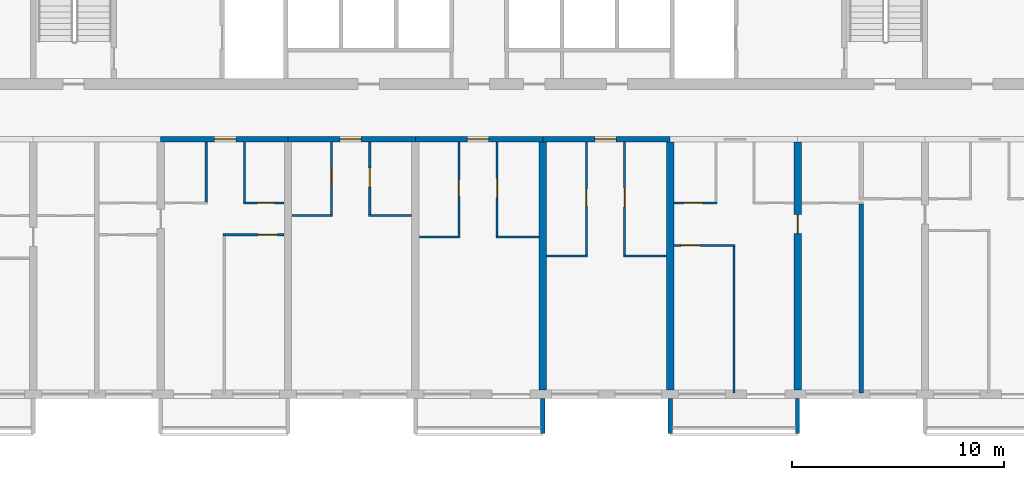
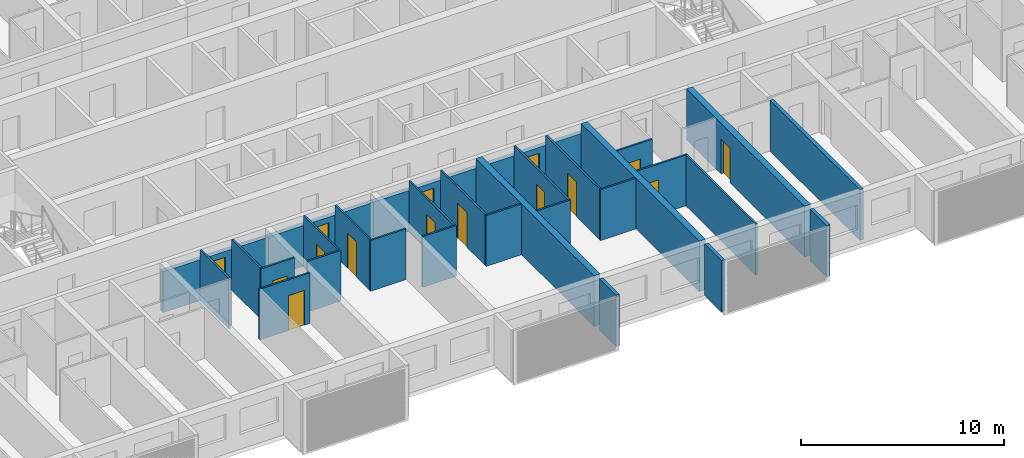
# One storey, part 5 of 29: 30 walls, 15 doors, 15 openings.
"""IFC4 building model written with IfcOpenShell, lengths in metres."""

from ifc_helpers import new_model, si_unit, direction, frame, frame_2d, origin, place, context, subcontext, project, spatial, polyline, rectangle, outline, extrude, source, transform, mapped, material, layer, layer_set, type_object, element, fill, save


model = new_model("IFC4")

# Units and contexts
model_context = context("Model", 3, precision=1e-05, world=origin(), true_north=direction((0.0, 1.0)))
body_context = subcontext(model_context, "Body", "Model", "MODEL_VIEW")
ifc_project = project(units=[si_unit("LENGTHUNIT", "METRE"), si_unit("AREAUNIT", "SQUARE_METRE"), si_unit("VOLUMEUNIT", "CUBIC_METRE"), si_unit("PLANEANGLEUNIT", "RADIAN"), si_unit("MASSUNIT", "GRAM", prefix="KILO")], contexts=[model_context])

# Site, building, storey
site_placement = place(None, origin())
site = spatial("IfcSite", under=ifc_project, at=site_placement, CompositionType="ELEMENT")
building_placement = place(site_placement, origin())
building = spatial("IfcBuilding", under=site, at=building_placement, Name="Poui Terraces", CompositionType="ELEMENT")
storey_placement = place(building_placement, frame((0.0, 0.0, 86.10009765625)))
storey = spatial("IfcBuildingStorey", under=building, at=storey_placement, Name="L23", CompositionType="ELEMENT", Elevation=86.10009765625)

# Wall, opening, door
ifc_material_1 = material(Name="Concrete 65 MPa", Category="concrete")
ifc_layer_1 = layer(ifc_material_1, 0.25)
ifc_layer_set_1 = layer_set([ifc_layer_1], Name="Concrete 65 MPa")
wall_type_1 = type_object("IfcWallType", Name="CORRIDOR WALL 250 65MPa", PredefinedType="SHEAR", material=ifc_layer_set_1)
wall_1_placement = place(storey_placement, frame((36.0, 12.0, 0.0), z_axis=(0.0, 0.0, 1.0), x_axis=(1.0, 0.0, 0.0)))
wall_1 = element("IfcWall", 1, at=wall_1_placement, inside=storey, type_object=wall_type_1, Name="CORRIDOR WALL LINE B BAY 6", PredefinedType="SHEAR", context=body_context, shape_type="SweptSolid", body=[
    extrude(rectangle(XDim=6.0, YDim=0.25, at=frame_2d((3.0, 0.0))), origin(), (0.0, 0.0, 1.0), 2.4599609375),
])
opening_1_placement = place(wall_1_placement, frame((2.550048828125, 0.0, 0.0)))
opening_1 = element("IfcOpeningElement", 2, at=opening_1_placement, cuts=wall_1, Name="Opening FD30S", PredefinedType="OPENING", context=body_context, shape_type="SweptSolid", body=[
    extrude(rectangle(XDim=1.0, YDim=2.10009765625, at=frame_2d((0.5, 1.050048828125))), frame((0.0, 0.135009765625, 0.0), z_axis=(0.0, -1.0, 0.0), x_axis=(1.0, 0.0, 0.0)), (0.0, 0.0, 1.0), 0.27001953125),
])
ifc_material_2 = material(Name="Steel fire door", Category="steel")
door_type_1 = type_object("IfcDoorType", Name="FLAT ENTRANCE DOOR 1000 X 2100", OperationType="NOTDEFINED", PredefinedType="DOOR", material=ifc_material_2)
door_1_placement = place(opening_1_placement, frame((1.0, 0.0, 0.0), z_axis=(0.0, 0.0, 1.0), x_axis=(-1.0, 0.0, 0.0)))
door_1 = element("IfcDoor", 3, at=door_1_placement, inside=storey, type_object=door_type_1, Name="FLAT ENTRANCE DOOR 103", OperationType="SINGLE_SWING_LEFT", OverallHeight=2.10009765625, OverallWidth=1.0, PredefinedType="DOOR", context=body_context, shape_type="SweptSolid", body=[
    extrude(rectangle(XDim=1.0, YDim=2.10009765625, at=frame_2d((0.5, 1.050048828125))), frame((0.0, 0.02490234375, 0.0), z_axis=(0.0, -1.0, 0.0), x_axis=(1.0, 0.0, 0.0)), (0.0, 0.0, 1.0), 0.050048828125),
])
fill(opening_1, door_1)

wall_2_placement = place(storey_placement, frame((42.0, 12.0, 0.0), z_axis=(0.0, 0.0, 1.0), x_axis=(1.0, 0.0, 0.0)))
wall_2 = element("IfcWall", 4, at=wall_2_placement, inside=storey, type_object=wall_type_1, Name="CORRIDOR WALL LINE B BAY 7", PredefinedType="SHEAR", context=body_context, shape_type="SweptSolid", body=[
    extrude(rectangle(XDim=6.0, YDim=0.25, at=frame_2d((3.0, 0.0))), origin(), (0.0, 0.0, 1.0), 2.4599609375),
])
opening_2_placement = place(wall_2_placement, frame((2.449951171875, 0.0, 0.0)))
opening_2 = element("IfcOpeningElement", 5, at=opening_2_placement, cuts=wall_2, Name="Opening FD30S", PredefinedType="OPENING", context=body_context, shape_type="SweptSolid", body=[
    extrude(rectangle(XDim=1.0, YDim=2.10009765625, at=frame_2d((0.5, 1.050048828125))), frame((0.0, 0.135009765625, 0.0), z_axis=(0.0, -1.0, 0.0), x_axis=(1.0, 0.0, 0.0)), (0.0, 0.0, 1.0), 0.27001953125),
])
door_2_placement = place(opening_2_placement, frame((1.0, 0.0, 0.0), z_axis=(0.0, 0.0, 1.0), x_axis=(-1.0, 0.0, 0.0)))
door_2 = element("IfcDoor", 6, at=door_2_placement, inside=storey, type_object=door_type_1, Name="FLAT ENTRANCE DOOR 107", OperationType="SINGLE_SWING_RIGHT", OverallHeight=2.10009765625, OverallWidth=1.0, PredefinedType="DOOR", context=body_context, shape_type="SweptSolid", body=[
    extrude(rectangle(XDim=1.0, YDim=2.10009765625, at=frame_2d((0.5, 1.050048828125))), frame((0.0, 0.02490234375, 0.0), z_axis=(0.0, -1.0, 0.0), x_axis=(1.0, 0.0, 0.0)), (0.0, 0.0, 1.0), 0.050048828125),
])
fill(opening_2, door_2)

wall_3_placement = place(storey_placement, frame((48.0, 12.0, 0.0), z_axis=(0.0, 0.0, 1.0), x_axis=(1.0, 0.0, 0.0)))
wall_3 = element("IfcWall", 7, at=wall_3_placement, inside=storey, type_object=wall_type_1, Name="CORRIDOR WALL LINE B BAY 8", PredefinedType="SHEAR", context=body_context, shape_type="SweptSolid", body=[
    extrude(rectangle(XDim=6.0, YDim=0.25, at=frame_2d((3.0, 0.0))), origin(), (0.0, 0.0, 1.0), 2.4599609375),
])
opening_3_placement = place(wall_3_placement, frame((2.449951171875, 0.0, 0.0)))
opening_3 = element("IfcOpeningElement", 8, at=opening_3_placement, cuts=wall_3, Name="Opening FD30S", PredefinedType="OPENING", context=body_context, shape_type="SweptSolid", body=[
    extrude(rectangle(XDim=1.0, YDim=2.10009765625, at=frame_2d((0.5, 1.050048828125))), frame((0.0, 0.135009765625, 0.0), z_axis=(0.0, -1.0, 0.0), x_axis=(1.0, 0.0, 0.0)), (0.0, 0.0, 1.0), 0.27001953125),
])
door_3_placement = place(opening_3_placement, frame((1.0, 0.0, 0.0), z_axis=(0.0, 0.0, 1.0), x_axis=(-1.0, 0.0, 0.0)))
door_3 = element("IfcDoor", 9, at=door_3_placement, inside=storey, type_object=door_type_1, Name="FLAT ENTRANCE DOOR 110", OperationType="SINGLE_SWING_RIGHT", OverallHeight=2.10009765625, OverallWidth=1.0, PredefinedType="DOOR", context=body_context, shape_type="SweptSolid", body=[
    extrude(rectangle(XDim=1.0, YDim=2.10009765625, at=frame_2d((0.5, 1.050048828125))), frame((0.0, 0.02490234375, 0.0), z_axis=(0.0, -1.0, 0.0), x_axis=(1.0, 0.0, 0.0)), (0.0, 0.0, 1.0), 0.050048828125),
])
fill(opening_3, door_3)

wall_4_placement = place(storey_placement, frame((54.0, 12.0, 0.0), z_axis=(0.0, 0.0, 1.0), x_axis=(1.0, 0.0, 0.0)))
wall_4 = element("IfcWall", 10, at=wall_4_placement, inside=storey, type_object=wall_type_1, Name="CORRIDOR WALL LINE B BAY 9", PredefinedType="SHEAR", context=body_context, shape_type="SweptSolid", body=[
    extrude(rectangle(XDim=6.0, YDim=0.25, at=frame_2d((3.0, 0.0))), origin(), (0.0, 0.0, 1.0), 2.4599609375),
])
opening_4_placement = place(wall_4_placement, frame((2.449951171875, 0.0, 0.0)))
opening_4 = element("IfcOpeningElement", 11, at=opening_4_placement, cuts=wall_4, Name="Opening FD30S", PredefinedType="OPENING", context=body_context, shape_type="SweptSolid", body=[
    extrude(rectangle(XDim=1.0, YDim=2.10009765625, at=frame_2d((0.5, 1.050048828125))), frame((0.0, 0.135009765625, 0.0), z_axis=(0.0, -1.0, 0.0), x_axis=(1.0, 0.0, 0.0)), (0.0, 0.0, 1.0), 0.27001953125),
])
door_4_placement = place(opening_4_placement, frame((1.0, 0.0, 0.0), z_axis=(0.0, 0.0, 1.0), x_axis=(-1.0, 0.0, 0.0)))
door_4 = element("IfcDoor", 12, at=door_4_placement, inside=storey, type_object=door_type_1, Name="FLAT ENTRANCE DOOR 113", OperationType="SINGLE_SWING_RIGHT", OverallHeight=2.10009765625, OverallWidth=1.0, PredefinedType="DOOR", context=body_context, shape_type="SweptSolid", body=[
    extrude(rectangle(XDim=1.0, YDim=2.10009765625, at=frame_2d((0.5, 1.050048828125))), frame((0.0, 0.02490234375, 0.0), z_axis=(0.0, -1.0, 0.0), x_axis=(1.0, 0.0, 0.0)), (0.0, 0.0, 1.0), 0.050048828125),
])
fill(opening_4, door_4)

# Walls
ifc_layer_2 = layer(ifc_material_1, 0.35009765625)
ifc_layer_set_2 = layer_set([ifc_layer_2], Name="Concrete 65 MPa")
wall_type_2 = type_object("IfcWallType", Name="CROSS WALL 350 65MPa", PredefinedType="SHEAR", material=ifc_layer_set_2)
for number, where, z_axis, x_axis, name in (
    (13, (54.0, 0.199951171875, 0.0), (0.0, 0.0, 1.0), (0.0, 1.0, 0.0), "CROSS WALL LINE 10 SOUTH"),
    (14, (60.0, 0.199951171875, 0.0), (0.0, 0.0, 1.0), (0.0, 1.0, 0.0), "CROSS WALL LINE 11 SOUTH"),
):
    element("IfcWall", number, at=place(storey_placement, frame(where, z_axis=z_axis, x_axis=x_axis)), inside=storey, type_object=wall_type_2, Name=name, PredefinedType="SHEAR", context=body_context, shape_type="SweptSolid", body=[
        extrude(rectangle(XDim=11.675048828125, YDim=0.35009765625, at=frame_2d((5.83740234375, 0.0))), origin(), (0.0, 0.0, 1.0), 3.059814453125),
    ])

# Wall, opening, door
wall_5_placement = place(storey_placement, frame((66.0, 0.199951171875, 0.0), z_axis=(0.0, 0.0, 1.0), x_axis=(0.0, 1.0, 0.0)))
wall_5 = element("IfcWall", 15, at=wall_5_placement, inside=storey, type_object=wall_type_2, Name="CROSS WALL LINE 12 SOUTH", PredefinedType="SHEAR", context=body_context, shape_type="SweptSolid", body=[
    extrude(rectangle(XDim=11.675048828125, YDim=0.35009765625, at=frame_2d((5.83740234375, 0.0))), origin(), (0.0, 0.0, 1.0), 3.059814453125),
])
opening_5_placement = place(wall_5_placement, frame((7.35009765625, 0.0, 0.0)))
opening_5 = element("IfcOpeningElement", 16, at=opening_5_placement, cuts=wall_5, Name="Opening D90", PredefinedType="OPENING", context=body_context, shape_type="SweptSolid", body=[
    extrude(rectangle(XDim=0.89990234375, YDim=2.10009765625, at=frame_2d((0.449951171875, 1.050048828125))), frame((0.0, 0.18505859375, 0.0), z_axis=(0.0, -1.0, 0.0), x_axis=(1.0, 0.0, 0.0)), (0.0, 0.0, 1.0), 0.3701171875),
])
ifc_material_3 = material(Name="Solid core timber door", Category="wood")
door_type_2 = type_object("IfcDoorType", Name="INTERNAL DOOR 900 X 2100", OperationType="NOTDEFINED", PredefinedType="DOOR", material=ifc_material_3)
door_5_placement = place(opening_5_placement, frame((0.89990234375, 0.0, 0.0), z_axis=(0.0, 0.0, 1.0), x_axis=(-1.0, 0.0, 0.0)))
door_5 = element("IfcDoor", 17, at=door_5_placement, inside=storey, type_object=door_type_2, Name="INTERNAL DOOR 120", OperationType="SINGLE_SWING_LEFT", OverallHeight=2.10009765625, OverallWidth=0.89990234375, PredefinedType="DOOR", context=body_context, shape_type="SweptSolid", body=[
    extrude(rectangle(XDim=0.89990234375, YDim=2.10009765625, at=frame_2d((0.449951171875, 1.050048828125))), frame((0.0, 0.02490234375, 0.0), z_axis=(0.0, -1.0, 0.0), x_axis=(1.0, 0.0, 0.0)), (0.0, 0.0, 1.0), 0.050048828125),
])
fill(opening_5, door_5)

# Walls
ifc_material_4 = material(Name="Plasterboard partition")
ifc_layer_3 = layer(ifc_material_4, 0.10009765625)
ifc_layer_set_3 = layer_set([ifc_layer_3], Name="Plasterboard partition")
wall_type_3 = type_object("IfcWallType", Name="FLAT PARTITION 100", PredefinedType="PARTITIONING", material=ifc_layer_set_3)
wall_6_placement = place(storey_placement, frame((54.18505859375, 6.5, 0.0), z_axis=(0.0, 0.0, 1.0), x_axis=(1.0, 0.0, 0.0)))
element("IfcWall", 18, at=wall_6_placement, inside=storey, type_object=wall_type_3, Name="FLAT PARTITION 100", PredefinedType="PARTITIONING", context=body_context, shape_type="SweptSolid", body=[
    extrude(rectangle(XDim=1.9150390625, YDim=0.10009765625, at=frame_2d((0.95751953125, 0.0))), origin(), (0.0, 0.0, 1.0), 3.059814453125),
])
wall_7_placement = place(storey_placement, frame((57.800048828125, 6.5, 0.0), z_axis=(0.0, 0.0, 1.0), x_axis=(1.0, 0.0, 0.0)))
element("IfcWall", 19, at=wall_7_placement, inside=storey, type_object=wall_type_3, Name="FLAT PARTITION 100", PredefinedType="PARTITIONING", context=body_context, shape_type="SweptSolid", body=[
    extrude(rectangle(XDim=2.014892578125, YDim=0.10009765625, at=frame_2d((1.00732421875, 0.0))), origin(), (0.0, 0.0, 1.0), 3.059814453125),
])

# Wall, opening, door
wall_8_placement = place(storey_placement, frame((60.18505859375, 7.0, 0.0), z_axis=(0.0, 0.0, 1.0), x_axis=(1.0, 0.0, 0.0)))
wall_8 = element("IfcWall", 20, at=wall_8_placement, inside=storey, type_object=wall_type_3, Name="FLAT PARTITION 100", PredefinedType="PARTITIONING", context=body_context, shape_type="SweptSolid", body=[
    extrude(rectangle(XDim=2.864990234375, YDim=0.10009765625, at=frame_2d((1.4326171875, 0.0))), origin(), (0.0, 0.0, 1.0), 3.059814453125),
])
opening_6_placement = place(wall_8_placement, frame((0.31494140625, 0.0, 0.0)))
opening_6 = element("IfcOpeningElement", 21, at=opening_6_placement, cuts=wall_8, Name="Opening D90", PredefinedType="OPENING", context=body_context, shape_type="SweptSolid", body=[
    extrude(rectangle(XDim=0.89990234375, YDim=2.10009765625, at=frame_2d((0.449951171875, 1.050048828125))), frame((0.0, 0.06005859375, 0.0), z_axis=(0.0, -1.0, 0.0), x_axis=(1.0, 0.0, 0.0)), (0.0, 0.0, 1.0), 0.1201171875),
])
door_6_placement = place(opening_6_placement, origin())
door_6 = element("IfcDoor", 22, at=door_6_placement, inside=storey, type_object=door_type_2, Name="INTERNAL DOOR 116", OperationType="SINGLE_SWING_RIGHT", OverallHeight=2.10009765625, OverallWidth=0.89990234375, PredefinedType="DOOR", context=body_context, shape_type="SweptSolid", body=[
    extrude(rectangle(XDim=0.89990234375, YDim=2.10009765625, at=frame_2d((0.449951171875, 1.050048828125))), frame((0.0, 0.02490234375, 0.0), z_axis=(0.0, -1.0, 0.0), x_axis=(1.0, 0.0, 0.0)), (0.0, 0.0, 1.0), 0.050048828125),
])
fill(opening_6, door_6)

# Walls
wall_9_placement = place(storey_placement, frame((48.18505859375, 7.39990234375, 0.0), z_axis=(0.0, 0.0, 1.0), x_axis=(1.0, 0.0, 0.0)))
element("IfcWall", 23, at=wall_9_placement, inside=storey, type_object=wall_type_3, Name="FLAT PARTITION 100", PredefinedType="PARTITIONING", context=body_context, shape_type="SweptSolid", body=[
    extrude(rectangle(XDim=1.9150390625, YDim=0.10009765625, at=frame_2d((0.95751953125, 0.0))), origin(), (0.0, 0.0, 1.0), 3.059814453125),
])
wall_10_placement = place(storey_placement, frame((51.800048828125, 7.39990234375, 0.0), z_axis=(0.0, 0.0, 1.0), x_axis=(1.0, 0.0, 0.0)))
element("IfcWall", 24, at=wall_10_placement, inside=storey, type_object=wall_type_3, Name="FLAT PARTITION 100", PredefinedType="PARTITIONING", context=body_context, shape_type="SweptSolid", body=[
    extrude(rectangle(XDim=2.014892578125, YDim=0.10009765625, at=frame_2d((1.00732421875, 0.0))), origin(), (0.0, 0.0, 1.0), 3.059814453125),
])

# Wall, opening, door
wall_11_placement = place(storey_placement, frame((38.949951171875, 7.5, 0.0), z_axis=(0.0, 0.0, 1.0), x_axis=(1.0, 0.0, 0.0)))
wall_11 = element("IfcWall", 25, at=wall_11_placement, inside=storey, type_object=wall_type_3, Name="FLAT PARTITION 100", PredefinedType="PARTITIONING", context=body_context, shape_type="SweptSolid", body=[
    extrude(rectangle(XDim=2.864990234375, YDim=0.10009765625, at=frame_2d((1.4326171875, 0.0))), origin(), (0.0, 0.0, 1.0), 3.059814453125),
])
opening_7_placement = place(wall_11_placement, frame((1.64990234375, 0.0, 0.0)))
opening_7 = element("IfcOpeningElement", 26, at=opening_7_placement, cuts=wall_11, Name="Opening D90", PredefinedType="OPENING", context=body_context, shape_type="SweptSolid", body=[
    extrude(rectangle(XDim=0.89990234375, YDim=2.10009765625, at=frame_2d((0.449951171875, 1.050048828125))), frame((0.0, 0.06005859375, 0.0), z_axis=(0.0, -1.0, 0.0), x_axis=(1.0, 0.0, 0.0)), (0.0, 0.0, 1.0), 0.1201171875),
])
door_7_placement = place(opening_7_placement, origin())
door_7 = element("IfcDoor", 27, at=door_7_placement, inside=storey, type_object=door_type_2, Name="INTERNAL DOOR 105", OperationType="SINGLE_SWING_LEFT", OverallHeight=2.10009765625, OverallWidth=0.89990234375, PredefinedType="DOOR", context=body_context, shape_type="SweptSolid", body=[
    extrude(rectangle(XDim=0.89990234375, YDim=2.10009765625, at=frame_2d((0.449951171875, 1.050048828125))), frame((0.0, 0.02490234375, 0.0), z_axis=(0.0, -1.0, 0.0), x_axis=(1.0, 0.0, 0.0)), (0.0, 0.0, 1.0), 0.050048828125),
])
fill(opening_7, door_7)

# Walls
wall_12_placement = place(storey_placement, frame((42.18505859375, 8.39990234375, 0.0), z_axis=(0.0, 0.0, 1.0), x_axis=(1.0, 0.0, 0.0)))
element("IfcWall", 28, at=wall_12_placement, inside=storey, type_object=wall_type_3, Name="FLAT PARTITION 100", PredefinedType="PARTITIONING", context=body_context, shape_type="SweptSolid", body=[
    extrude(rectangle(XDim=1.9150390625, YDim=0.10009765625, at=frame_2d((0.95751953125, 0.0))), origin(), (0.0, 0.0, 1.0), 3.059814453125),
])
wall_13_placement = place(storey_placement, frame((45.800048828125, 8.39990234375, 0.0), z_axis=(0.0, 0.0, 1.0), x_axis=(1.0, 0.0, 0.0)))
element("IfcWall", 29, at=wall_13_placement, inside=storey, type_object=wall_type_3, Name="FLAT PARTITION 100", PredefinedType="PARTITIONING", context=body_context, shape_type="SweptSolid", body=[
    extrude(rectangle(XDim=2.014892578125, YDim=0.10009765625, at=frame_2d((1.00732421875, 0.0))), origin(), (0.0, 0.0, 1.0), 3.059814453125),
])

# Wall, opening, door
wall_14_placement = place(storey_placement, frame((39.89990234375, 9.0, 0.0), z_axis=(0.0, 0.0, 1.0), x_axis=(1.0, 0.0, 0.0)))
wall_14 = element("IfcWall", 30, at=wall_14_placement, inside=storey, type_object=wall_type_3, Name="FLAT PARTITION 100", PredefinedType="PARTITIONING", context=body_context, shape_type="SweptSolid", body=[
    extrude(rectangle(XDim=1.9150390625, YDim=0.10009765625, at=frame_2d((0.95751953125, 0.0))), origin(), (0.0, 0.0, 1.0), 3.059814453125),
])
opening_8_placement = place(wall_14_placement, frame((0.675048828125, 0.0, 0.0)))
opening_8 = element("IfcOpeningElement", 31, at=opening_8_placement, cuts=wall_14, Name="Opening D80", PredefinedType="OPENING", context=body_context, shape_type="SweptSolid", body=[
    extrude(rectangle(XDim=0.800048828125, YDim=2.10009765625, at=frame_2d((0.39990234375, 1.050048828125))), frame((0.0, 0.06005859375, 0.0), z_axis=(0.0, -1.0, 0.0), x_axis=(1.0, 0.0, 0.0)), (0.0, 0.0, 1.0), 0.1201171875),
])
door_type_3 = type_object("IfcDoorType", Name="BATHROOM, LAUNDRY AND STORE DOOR 800 X 2100", OperationType="NOTDEFINED", PredefinedType="DOOR", material=ifc_material_3)
door_8_placement = place(opening_8_placement, origin())
door_8 = element("IfcDoor", 32, at=door_8_placement, inside=storey, type_object=door_type_3, Name="BATHROOM, LAUNDRY AND STORE DOOR 104", OperationType="SINGLE_SWING_RIGHT", OverallHeight=2.10009765625, OverallWidth=0.800048828125, PredefinedType="DOOR", context=body_context, shape_type="SweptSolid", body=[
    extrude(rectangle(XDim=0.800048828125, YDim=2.10009765625, at=frame_2d((0.39990234375, 1.050048828125))), frame((0.0, 0.02490234375, 0.0), z_axis=(0.0, -1.0, 0.0), x_axis=(1.0, 0.0, 0.0)), (0.0, 0.0, 1.0), 0.050048828125),
])
fill(opening_8, door_8)

wall_15_placement = place(storey_placement, frame((60.18505859375, 9.0, 0.0), z_axis=(0.0, 0.0, 1.0), x_axis=(1.0, 0.0, 0.0)))
wall_15 = element("IfcWall", 33, at=wall_15_placement, inside=storey, type_object=wall_type_3, Name="FLAT PARTITION 100", PredefinedType="PARTITIONING", context=body_context, shape_type="SweptSolid", body=[
    extrude(rectangle(XDim=2.014892578125, YDim=0.10009765625, at=frame_2d((1.00732421875, 0.0))), origin(), (0.0, 0.0, 1.0), 3.059814453125),
])
opening_9_placement = place(wall_15_placement, frame((0.43994140625, 0.0, 0.0)))
opening_9 = element("IfcOpeningElement", 34, at=opening_9_placement, cuts=wall_15, Name="Opening D90", PredefinedType="OPENING", context=body_context, shape_type="SweptSolid", body=[
    extrude(rectangle(XDim=0.89990234375, YDim=2.10009765625, at=frame_2d((0.449951171875, 1.050048828125))), frame((0.0, 0.06005859375, 0.0), z_axis=(0.0, -1.0, 0.0), x_axis=(1.0, 0.0, 0.0)), (0.0, 0.0, 1.0), 0.1201171875),
])
door_9_placement = place(opening_9_placement, origin())
door_9 = element("IfcDoor", 35, at=door_9_placement, inside=storey, type_object=door_type_2, Name="INTERNAL DOOR 117", OperationType="SINGLE_SWING_LEFT", OverallHeight=2.10009765625, OverallWidth=0.89990234375, PredefinedType="DOOR", context=body_context, shape_type="SweptSolid", body=[
    extrude(rectangle(XDim=0.89990234375, YDim=2.10009765625, at=frame_2d((0.449951171875, 1.050048828125))), frame((0.0, 0.02490234375, 0.0), z_axis=(0.0, -1.0, 0.0), x_axis=(1.0, 0.0, 0.0)), (0.0, 0.0, 1.0), 0.050048828125),
])
fill(opening_9, door_9)

# Walls
for number, where, z_axis, x_axis, name in (
    (36, (38.14990234375, 9.050048828125, 0.0), (0.0, 0.0, 1.0), (0.0, 1.0, 0.0), "FLAT PARTITION 100"),
    (37, (39.949951171875, 9.050048828125, 0.0), (0.0, 0.0, 1.0), (0.0, 1.0, 0.0), "FLAT PARTITION 100"),
):
    element("IfcWall", number, at=place(storey_placement, frame(where, z_axis=z_axis, x_axis=x_axis)), inside=storey, type_object=wall_type_3, Name=name, PredefinedType="PARTITIONING", context=body_context, shape_type="SweptSolid", body=[
        extrude(rectangle(XDim=2.81494140625, YDim=0.10009765625, at=frame_2d((1.407470703125, 0.0))), origin(), (0.0, 0.0, 1.0), 3.059814453125),
    ])

# Wall, opening, door
wall_16_placement = place(storey_placement, frame((44.050048828125, 8.449951171875, 0.0), z_axis=(0.0, 0.0, 1.0), x_axis=(0.0, 1.0, 0.0)))
wall_16 = element("IfcWall", 38, at=wall_16_placement, inside=storey, type_object=wall_type_3, Name="FLAT PARTITION 100", PredefinedType="PARTITIONING", context=body_context, shape_type="SweptSolid", body=[
    extrude(rectangle(XDim=3.4150390625, YDim=0.10009765625, at=frame_2d((1.70751953125, 0.0))), origin(), (0.0, 0.0, 1.0), 3.059814453125),
])
opening_10_placement = place(wall_16_placement, frame((1.35009765625, 0.0, 0.0)))
opening_10 = element("IfcOpeningElement", 39, at=opening_10_placement, cuts=wall_16, Name="Opening D80", PredefinedType="OPENING", context=body_context, shape_type="SweptSolid", body=[
    extrude(rectangle(XDim=0.800048828125, YDim=2.10009765625, at=frame_2d((0.39990234375, 1.050048828125))), frame((0.0, 0.06005859375, 0.0), z_axis=(0.0, -1.0, 0.0), x_axis=(1.0, 0.0, 0.0)), (0.0, 0.0, 1.0), 0.1201171875),
])
door_10_placement = place(opening_10_placement, origin())
door_10 = element("IfcDoor", 40, at=door_10_placement, inside=storey, type_object=door_type_3, Name="BATHROOM, LAUNDRY AND STORE DOOR 106", OperationType="SINGLE_SWING_LEFT", OverallHeight=2.10009765625, OverallWidth=0.800048828125, PredefinedType="DOOR", context=body_context, shape_type="SweptSolid", body=[
    extrude(rectangle(XDim=0.800048828125, YDim=2.10009765625, at=frame_2d((0.39990234375, 1.050048828125))), frame((0.0, 0.02490234375, 0.0), z_axis=(0.0, -1.0, 0.0), x_axis=(1.0, 0.0, 0.0)), (0.0, 0.0, 1.0), 0.050048828125),
])
fill(opening_10, door_10)

wall_17_placement = place(storey_placement, frame((45.85009765625, 8.449951171875, 0.0), z_axis=(0.0, 0.0, 1.0), x_axis=(0.0, 1.0, 0.0)))
wall_17 = element("IfcWall", 41, at=wall_17_placement, inside=storey, type_object=wall_type_3, Name="FLAT PARTITION 100", PredefinedType="PARTITIONING", context=body_context, shape_type="SweptSolid", body=[
    extrude(rectangle(XDim=3.4150390625, YDim=0.10009765625, at=frame_2d((1.70751953125, 0.0))), origin(), (0.0, 0.0, 1.0), 3.059814453125),
])
opening_11_placement = place(wall_17_placement, frame((1.300048828125, 0.0, 0.0)))
opening_11 = element("IfcOpeningElement", 42, at=opening_11_placement, cuts=wall_17, Name="Opening D90", PredefinedType="OPENING", context=body_context, shape_type="SweptSolid", body=[
    extrude(rectangle(XDim=0.89990234375, YDim=2.10009765625, at=frame_2d((0.449951171875, 1.050048828125))), frame((0.0, 0.06005859375, 0.0), z_axis=(0.0, -1.0, 0.0), x_axis=(1.0, 0.0, 0.0)), (0.0, 0.0, 1.0), 0.1201171875),
])
door_11_placement = place(opening_11_placement, frame((0.89990234375, 0.0, 0.0), z_axis=(0.0, 0.0, 1.0), x_axis=(-1.0, 0.0, 0.0)))
door_11 = element("IfcDoor", 43, at=door_11_placement, inside=storey, type_object=door_type_2, Name="INTERNAL DOOR 108", OperationType="SINGLE_SWING_LEFT", OverallHeight=2.10009765625, OverallWidth=0.89990234375, PredefinedType="DOOR", context=body_context, shape_type="SweptSolid", body=[
    extrude(rectangle(XDim=0.89990234375, YDim=2.10009765625, at=frame_2d((0.449951171875, 1.050048828125))), frame((0.0, 0.02490234375, 0.0), z_axis=(0.0, -1.0, 0.0), x_axis=(1.0, 0.0, 0.0)), (0.0, 0.0, 1.0), 0.050048828125),
])
fill(opening_11, door_11)

wall_18_placement = place(storey_placement, frame((50.050048828125, 7.449951171875, 0.0), z_axis=(0.0, 0.0, 1.0), x_axis=(0.0, 1.0, 0.0)))
wall_18 = element("IfcWall", 44, at=wall_18_placement, inside=storey, type_object=wall_type_3, Name="FLAT PARTITION 100", PredefinedType="PARTITIONING", context=body_context, shape_type="SweptSolid", body=[
    extrude(rectangle(XDim=4.4150390625, YDim=0.10009765625, at=frame_2d((2.20751953125, 0.0))), origin(), (0.0, 0.0, 1.0), 3.059814453125),
])
opening_12_placement = place(wall_18_placement, frame((1.85009765625, 0.0, 0.0)))
opening_12 = element("IfcOpeningElement", 45, at=opening_12_placement, cuts=wall_18, Name="Opening D80", PredefinedType="OPENING", context=body_context, shape_type="SweptSolid", body=[
    extrude(rectangle(XDim=0.800048828125, YDim=2.10009765625, at=frame_2d((0.39990234375, 1.050048828125))), frame((0.0, 0.06005859375, 0.0), z_axis=(0.0, -1.0, 0.0), x_axis=(1.0, 0.0, 0.0)), (0.0, 0.0, 1.0), 0.1201171875),
])
door_12_placement = place(opening_12_placement, origin())
door_12 = element("IfcDoor", 46, at=door_12_placement, inside=storey, type_object=door_type_3, Name="BATHROOM, LAUNDRY AND STORE DOOR 109", OperationType="SINGLE_SWING_RIGHT", OverallHeight=2.10009765625, OverallWidth=0.800048828125, PredefinedType="DOOR", context=body_context, shape_type="SweptSolid", body=[
    extrude(rectangle(XDim=0.800048828125, YDim=2.10009765625, at=frame_2d((0.39990234375, 1.050048828125))), frame((0.0, 0.02490234375, 0.0), z_axis=(0.0, -1.0, 0.0), x_axis=(1.0, 0.0, 0.0)), (0.0, 0.0, 1.0), 0.050048828125),
])
fill(opening_12, door_12)

wall_19_placement = place(storey_placement, frame((51.85009765625, 7.449951171875, 0.0), z_axis=(0.0, 0.0, 1.0), x_axis=(0.0, 1.0, 0.0)))
wall_19 = element("IfcWall", 47, at=wall_19_placement, inside=storey, type_object=wall_type_3, Name="FLAT PARTITION 100", PredefinedType="PARTITIONING", context=body_context, shape_type="SweptSolid", body=[
    extrude(rectangle(XDim=4.4150390625, YDim=0.10009765625, at=frame_2d((2.20751953125, 0.0))), origin(), (0.0, 0.0, 1.0), 3.059814453125),
])
opening_13_placement = place(wall_19_placement, frame((1.800048828125, 0.0, 0.0)))
opening_13 = element("IfcOpeningElement", 48, at=opening_13_placement, cuts=wall_19, Name="Opening D90", PredefinedType="OPENING", context=body_context, shape_type="SweptSolid", body=[
    extrude(rectangle(XDim=0.89990234375, YDim=2.10009765625, at=frame_2d((0.449951171875, 1.050048828125))), frame((0.0, 0.06005859375, 0.0), z_axis=(0.0, -1.0, 0.0), x_axis=(1.0, 0.0, 0.0)), (0.0, 0.0, 1.0), 0.1201171875),
])
door_13_placement = place(opening_13_placement, frame((0.89990234375, 0.0, 0.0), z_axis=(0.0, 0.0, 1.0), x_axis=(-1.0, 0.0, 0.0)))
door_13 = element("IfcDoor", 49, at=door_13_placement, inside=storey, type_object=door_type_2, Name="INTERNAL DOOR 111", OperationType="SINGLE_SWING_RIGHT", OverallHeight=2.10009765625, OverallWidth=0.89990234375, PredefinedType="DOOR", context=body_context, shape_type="SweptSolid", body=[
    extrude(rectangle(XDim=0.89990234375, YDim=2.10009765625, at=frame_2d((0.449951171875, 1.050048828125))), frame((0.0, 0.02490234375, 0.0), z_axis=(0.0, -1.0, 0.0), x_axis=(1.0, 0.0, 0.0)), (0.0, 0.0, 1.0), 0.050048828125),
])
fill(opening_13, door_13)

wall_20_placement = place(storey_placement, frame((56.050048828125, 6.550048828125, 0.0), z_axis=(0.0, 0.0, 1.0), x_axis=(0.0, 1.0, 0.0)))
wall_20 = element("IfcWall", 50, at=wall_20_placement, inside=storey, type_object=wall_type_3, Name="FLAT PARTITION 100", PredefinedType="PARTITIONING", context=body_context, shape_type="SweptSolid", body=[
    extrude(rectangle(XDim=5.31494140625, YDim=0.10009765625, at=frame_2d((2.657470703125, 0.0))), origin(), (0.0, 0.0, 1.0), 3.059814453125),
])
opening_14_placement = place(wall_20_placement, frame((2.300048828125, 0.0, 0.0)))
opening_14 = element("IfcOpeningElement", 51, at=opening_14_placement, cuts=wall_20, Name="Opening D80", PredefinedType="OPENING", context=body_context, shape_type="SweptSolid", body=[
    extrude(rectangle(XDim=0.800048828125, YDim=2.10009765625, at=frame_2d((0.39990234375, 1.050048828125))), frame((0.0, 0.06005859375, 0.0), z_axis=(0.0, -1.0, 0.0), x_axis=(1.0, 0.0, 0.0)), (0.0, 0.0, 1.0), 0.1201171875),
])
door_14_placement = place(opening_14_placement, origin())
door_14 = element("IfcDoor", 52, at=door_14_placement, inside=storey, type_object=door_type_3, Name="BATHROOM, LAUNDRY AND STORE DOOR 112", OperationType="SINGLE_SWING_LEFT", OverallHeight=2.10009765625, OverallWidth=0.800048828125, PredefinedType="DOOR", context=body_context, shape_type="SweptSolid", body=[
    extrude(rectangle(XDim=0.800048828125, YDim=2.10009765625, at=frame_2d((0.39990234375, 1.050048828125))), frame((0.0, 0.02490234375, 0.0), z_axis=(0.0, -1.0, 0.0), x_axis=(1.0, 0.0, 0.0)), (0.0, 0.0, 1.0), 0.050048828125),
])
fill(opening_14, door_14)

wall_21_placement = place(storey_placement, frame((57.85009765625, 6.550048828125, 0.0), z_axis=(0.0, 0.0, 1.0), x_axis=(0.0, 1.0, 0.0)))
wall_21 = element("IfcWall", 53, at=wall_21_placement, inside=storey, type_object=wall_type_3, Name="FLAT PARTITION 100", PredefinedType="PARTITIONING", context=body_context, shape_type="SweptSolid", body=[
    extrude(rectangle(XDim=5.31494140625, YDim=0.10009765625, at=frame_2d((2.657470703125, 0.0))), origin(), (0.0, 0.0, 1.0), 3.059814453125),
])
opening_15_placement = place(wall_21_placement, frame((2.25, 0.0, 0.0)))
opening_15 = element("IfcOpeningElement", 54, at=opening_15_placement, cuts=wall_21, Name="Opening D90", PredefinedType="OPENING", context=body_context, shape_type="SweptSolid", body=[
    extrude(rectangle(XDim=0.89990234375, YDim=2.10009765625, at=frame_2d((0.449951171875, 1.050048828125))), frame((0.0, 0.06005859375, 0.0), z_axis=(0.0, -1.0, 0.0), x_axis=(1.0, 0.0, 0.0)), (0.0, 0.0, 1.0), 0.1201171875),
])
door_15_placement = place(opening_15_placement, frame((0.89990234375, 0.0, 0.0), z_axis=(0.0, 0.0, 1.0), x_axis=(-1.0, 0.0, 0.0)))
door_15 = element("IfcDoor", 55, at=door_15_placement, inside=storey, type_object=door_type_2, Name="INTERNAL DOOR 114", OperationType="SINGLE_SWING_LEFT", OverallHeight=2.10009765625, OverallWidth=0.89990234375, PredefinedType="DOOR", context=body_context, shape_type="SweptSolid", body=[
    extrude(rectangle(XDim=0.89990234375, YDim=2.10009765625, at=frame_2d((0.449951171875, 1.050048828125))), frame((0.0, 0.02490234375, 0.0), z_axis=(0.0, -1.0, 0.0), x_axis=(1.0, 0.0, 0.0)), (0.0, 0.0, 1.0), 0.050048828125),
])
fill(opening_15, door_15)

# Walls
wall_22_placement = place(storey_placement, frame((63.0, 0.06005859375, 0.0), z_axis=(0.0, 0.0, 1.0), x_axis=(0.0, 1.0, 0.0)))
element("IfcWall", 56, at=wall_22_placement, inside=storey, type_object=wall_type_3, Name="FLAT PARTITION 100", PredefinedType="PARTITIONING", context=body_context, shape_type="SweptSolid", body=[
    extrude(rectangle(XDim=6.889892578125, YDim=0.10009765625, at=frame_2d((3.44482421875, 0.0))), origin(), (0.0, 0.0, 1.0), 3.059814453125),
])
ifc_material_5 = material(Name="Fire-rated masonry wall", Category="masonry")
ifc_layer_4 = layer(ifc_material_5, 0.199951171875)
ifc_layer_set_4 = layer_set([ifc_layer_4], Name="Fire-rated masonry wall")
wall_type_4 = type_object("IfcWallType", Name="FLAT PARTY WALL 200", PredefinedType="PARTITIONING", material=ifc_layer_set_4)
wall_23_placement = place(storey_placement, frame((69.0, 0.06005859375, 0.0), z_axis=(0.0, 0.0, 1.0), x_axis=(0.0, 1.0, 0.0)))
element("IfcWall", 57, at=wall_23_placement, inside=storey, type_object=wall_type_4, Name="FLAT PARTY WALL 200", PredefinedType="PARTITIONING", context=body_context, shape_type="SweptSolid", body=[
    extrude(rectangle(XDim=8.889892578125, YDim=0.199951171875, at=frame_2d((4.44482421875, 0.0))), origin(), (0.0, 0.0, 1.0), 3.059814453125),
])
ifc_material_6 = material(Name="Precast concrete 40 MPa", Category="concrete")
ifc_layer_5 = layer(ifc_material_6, 0.199951171875)
ifc_layer_set_5 = layer_set([ifc_layer_5], Name="Precast concrete 40 MPa")
wall_type_5 = type_object("IfcWallType", Name="REAR FIN 200", PredefinedType="STANDARD", material=ifc_layer_set_5)
shared_shape = source(origin(), body_context, "Body", "SweptSolid", [
    extrude(outline(polyline([(0.0, 0.0), (0.2001953125, 0.0), (0.2001953125, 1.650146484375), (0.0, 1.650146484375), (0.0, 0.0)])), origin(), (0.0, 0.0, 1.0), 3.099853515625),
])
for number, where, name in (
    (58, (53.89990234375, -1.85009765625, 0.0), "REAR FIN"),
    (59, (59.89990234375, -1.85009765625, 0.0), "REAR FIN"),
    (60, (65.89990234375, -1.85009765625, 0.0), "REAR FIN"),
):
    element("IfcWall", number, at=place(storey_placement, frame(where)), inside=storey, type_object=wall_type_5, Name=name, PredefinedType="STANDARD", context=body_context, shape_type="MappedRepresentation", body=[
        mapped(shared_shape, transform((0.0, 0.0, 0.0))),
    ])

save(model, "model.ifc")
